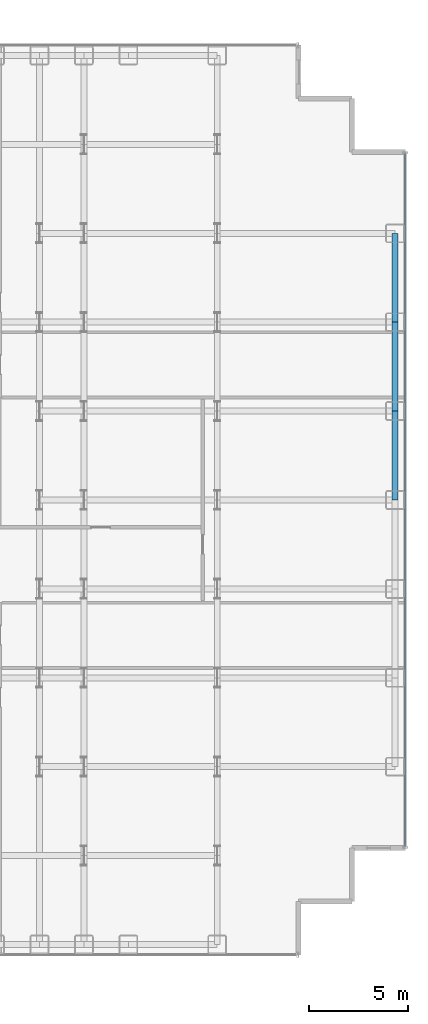
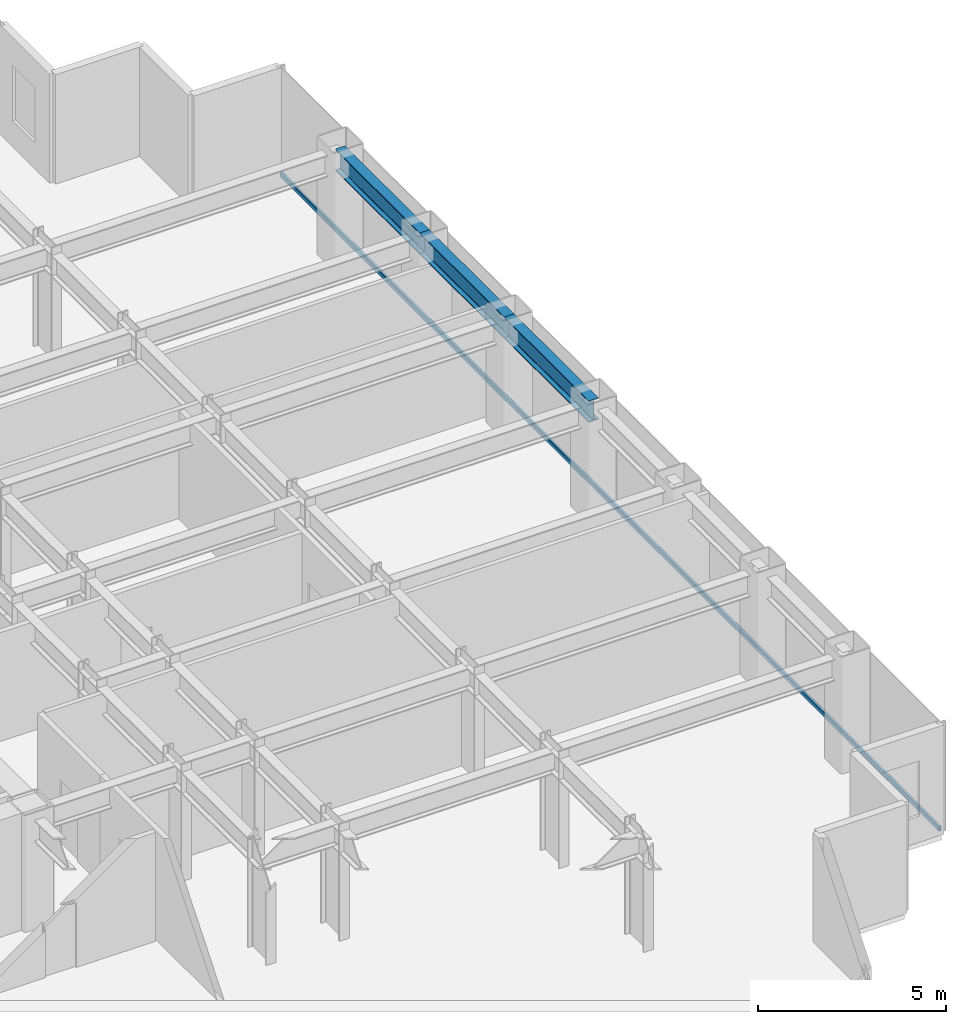
# One storey, part 17 of 26: 3 beams, 1 member, 1 element without a shape of its own.
"""IFC4 building model written with IfcOpenShell, lengths in metres."""

from ifc_helpers import new_model, si_unit, direction, frame, origin, origin_2d, place, context, subcontext, project, spatial, hollow_rectangle, i_section, extrude, source, transform, mapped, material, layer, layer_set, material_profile, profile_set, type_object, element, aggregate, save


model = new_model("IFC4")

# Units and contexts
model_context = context("Model", 3, precision=1e-05, world=origin(), true_north=direction((0.0, 1.0)))
body_context = subcontext(model_context, "Body", "Model", "MODEL_VIEW")
ifc_project = project(units=[si_unit("LENGTHUNIT", "METRE"), si_unit("AREAUNIT", "SQUARE_METRE"), si_unit("VOLUMEUNIT", "CUBIC_METRE"), si_unit("PLANEANGLEUNIT", "RADIAN"), si_unit("MASSUNIT", "GRAM", prefix="KILO")], contexts=[model_context])

# Site, building, storey
site_placement = place(None, origin())
site = spatial("IfcSite", under=ifc_project, at=site_placement, CompositionType="ELEMENT")
building_placement = place(site_placement, origin())
building = spatial("IfcBuilding", under=site, at=building_placement, Name="Nefas-Gora Pilgrimage Tower", CompositionType="ELEMENT")
storey_placement = place(building_placement, frame((0.0, 0.0, 59.60009765625)))
storey = spatial("IfcBuildingStorey", under=building, at=storey_placement, Name="L13", CompositionType="ELEMENT", Elevation=59.60009765625)

# Beams
ifc_material_1 = material(Name="Steel S355", Category="steel")
ifc_material_profile_1 = material_profile(ifc_material_1, i_section(OverallWidth=0.300048828125, OverallDepth=0.699951171875, WebThickness=0.01708984375, FlangeThickness=0.031982421875, FilletRadius=0.027099609375, at=origin_2d()), Name="HEB 700")
ifc_profile_set_1 = profile_set([ifc_material_profile_1], Name="Steel S355")
beam_type = type_object("IfcBeamType", Name="BM-SPN-HEB600", PredefinedType="SPANDREL", material=ifc_profile_set_1)
shared_shape_1 = source(origin(), body_context, "Body", "SweptSolid", [
    extrude(i_section(OverallWidth=0.300048828125, OverallDepth=0.699951171875, WebThickness=0.01708984375, FlangeThickness=0.031982421875, FilletRadius=0.027099609375, at=origin_2d()), origin(), (0.0, 0.0, 1.0), 4.5),
])
for number, where, z_axis, x_axis, name in (
    (1, (33.75, 0.0, 3.199951171875), (0.0, 1.0, 0.0), (-1.0, 0.0, 0.0), "L13 SP-01 beam"),
    (2, (33.75, 4.5, 3.199951171875), (0.0, 1.0, 0.0), (-1.0, 0.0, 0.0), "L13 SP-01 beam"),
    (3, (33.75, 9.0, 3.199951171875), (0.0, 1.0, 0.0), (-1.0, 0.0, 0.0), "L13 SP-01 beam"),
):
    element("IfcBeam", number, at=place(storey_placement, frame(where, z_axis=z_axis, x_axis=x_axis)), inside=storey, type_object=beam_type, Name=name, PredefinedType="SPANDREL", context=body_context, shape_type="MappedRepresentation", body=[
        mapped(shared_shape_1, transform((0.0, 0.0, 0.0), x_axis=(1.0, 0.0, 0.0), y_axis=(0.0, 1.0, 0.0), z_axis=(0.0, 0.0, 1.0), scale=1.0)),
    ])

# Curtain wall, member
ifc_material_2 = material(Name="Dark ceramic-fritted solar-control aluminium-glass curtain wall", Category="aluminium")
ifc_layer = layer(ifc_material_2, 0.219970703125)
ifc_layer_set = layer_set([ifc_layer], Name="Dark ceramic-fritted solar-control aluminium-glass curtain wall")
curtain_wall_type = type_object("IfcCurtainWallType", Name="CW-SYS-2", PredefinedType="NOTDEFINED", material=ifc_layer_set)
curtain_wall_placement = place(storey_placement, origin())
curtain_wall = element("IfcCurtainWall", 4, at=curtain_wall_placement, inside=storey, type_object=curtain_wall_type, Name="L13 Unitised Curtain Wall CW2", PredefinedType="NOTDEFINED")
ifc_material_3 = material(Name="Anodised architectural aluminium", Category="aluminium")
ifc_material_profile_2 = material_profile(ifc_material_3, hollow_rectangle(XDim=0.080078125, YDim=0.159912109375, WallThickness=0.00439453125, InnerFilletRadius=0.00439453125, OuterFilletRadius=0.009033203125, at=origin_2d()), Name="ALU TRANSOM 80x160")
ifc_profile_set_2 = profile_set([ifc_material_profile_2], Name="Anodised architectural aluminium")
member_type = type_object("IfcMemberType", Name="CWM-TRN-2", PredefinedType="USERDEFINED", material=ifc_profile_set_2)
shared_shape_2 = source(origin(), body_context, "Body", "SweptSolid", [
    extrude(hollow_rectangle(XDim=0.080078125, YDim=0.159912109375, WallThickness=0.00439453125, InnerFilletRadius=0.00439453125, OuterFilletRadius=0.009033203125, at=origin_2d()), origin(), (0.0, 0.0, 1.0), 35.06005859375),
])
member_placement = place(storey_placement, frame((34.27001953125, -17.530029296875, 0.0498046875), z_axis=(0.0, 1.0, 0.0), x_axis=(-1.0, 0.0, 0.0)))
member = element("IfcMember", 5, at=member_placement, type_object=member_type, Name="CW2 Spandrel Transom", ObjectType="TRANSOM", PredefinedType="USERDEFINED", context=body_context, shape_type="MappedRepresentation", body=[
    mapped(shared_shape_2, transform((0.0, 0.0, 0.0), x_axis=(1.0, 0.0, 0.0), y_axis=(0.0, 1.0, 0.0), z_axis=(0.0, 0.0, 1.0), scale=1.0)),
])
aggregate(curtain_wall, [member])

save(model, "model.ifc")
